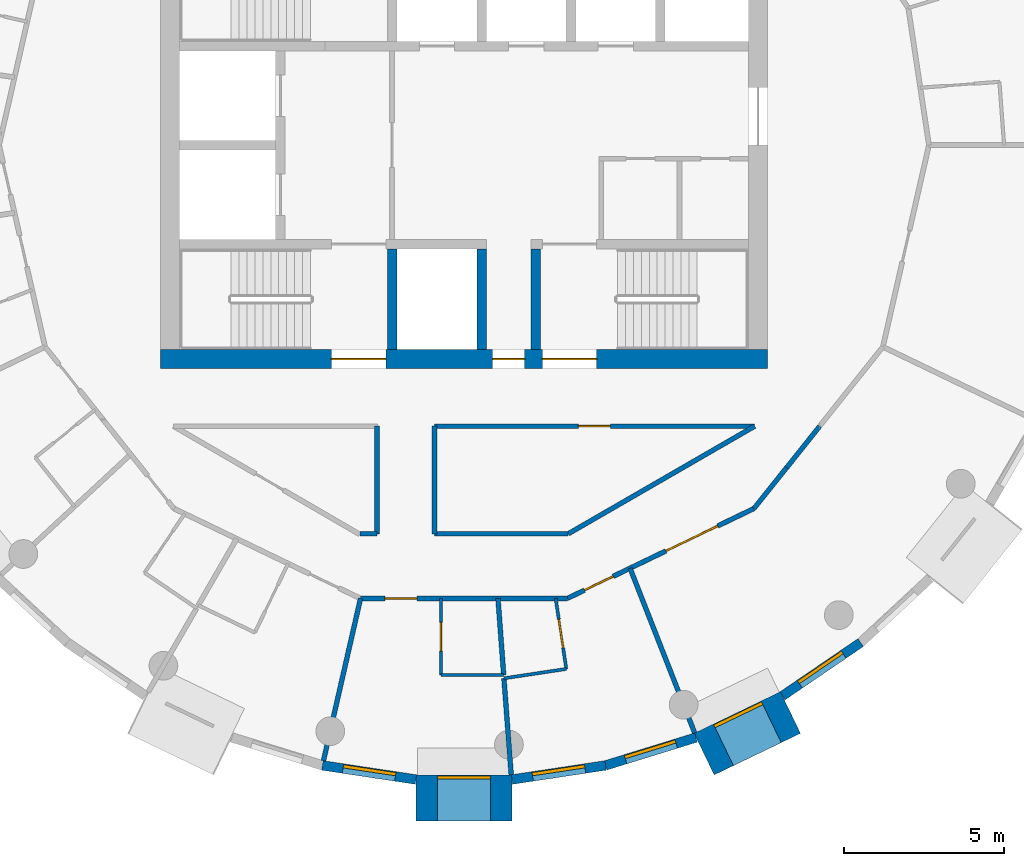
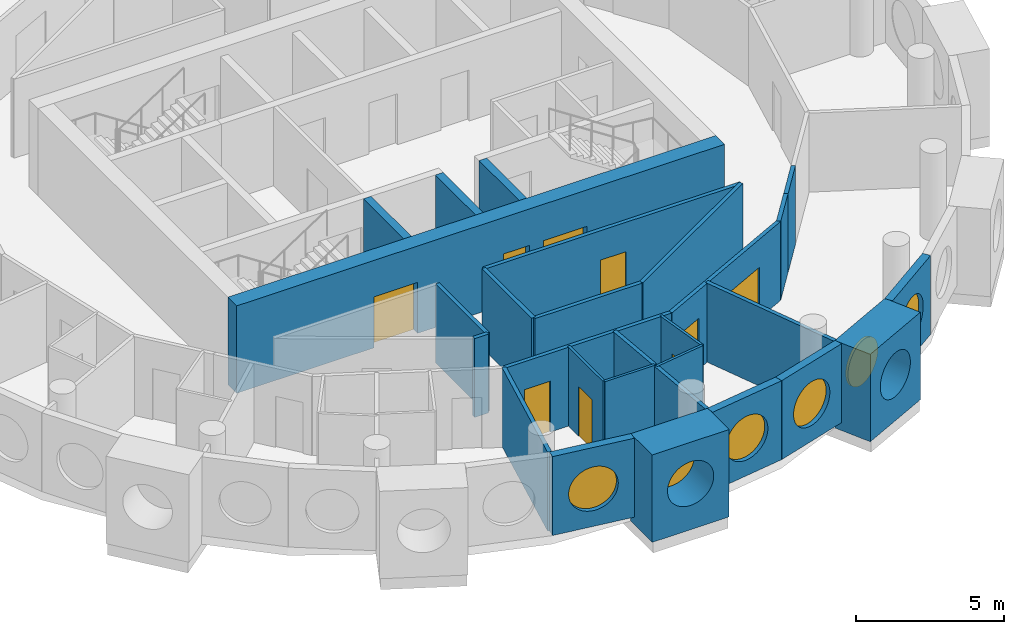
# One storey, part 4 of 12: 28 walls, 9 doors, 6 windows, 15 openings.
"""IFC4 building model written with IfcOpenShell, lengths in metres."""

from ifc_helpers import new_model, si_unit, direction, frame, frame_2d, origin, origin_2d, place, context, subcontext, project, spatial, rectangle, circle, extrude, material, layer, layer_set, type_object, element, fill, save


model = new_model("IFC4")

# Units and contexts
model_context = context("Model", 3, precision=1e-05, world=origin(), true_north=direction((0.0, 1.0)))
body_context = subcontext(model_context, "Body", "Model", "MODEL_VIEW")
ifc_project = project(units=[si_unit("LENGTHUNIT", "METRE"), si_unit("AREAUNIT", "SQUARE_METRE"), si_unit("VOLUMEUNIT", "CUBIC_METRE"), si_unit("PLANEANGLEUNIT", "RADIAN"), si_unit("MASSUNIT", "GRAM", prefix="KILO")], contexts=[model_context])

# Site, building, storey
site_placement = place(None, origin())
site = spatial("IfcSite", under=ifc_project, at=site_placement, CompositionType="ELEMENT")
building_placement = place(site_placement, origin())
building = spatial("IfcBuilding", under=site, at=building_placement, Name="Tracery Tower", CompositionType="ELEMENT")
storey_placement = place(building_placement, frame((0.0, 0.0, 283.800048828125)))
storey = spatial("IfcBuildingStorey", under=building, at=storey_placement, Name="L73", CompositionType="ELEMENT", Elevation=283.800048828125)

# Wall, openings, doors
ifc_material_1 = material(Name="Concrete C40/50", Category="concrete")
ifc_layer_1 = layer(ifc_material_1, 0.60009765625)
ifc_layer_set_1 = layer_set([ifc_layer_1], Name="Core wall 600 C40")
wall_type_1 = type_object("IfcWallType", Name="Core wall 600 C40", PredefinedType="SOLIDWALL", material=ifc_layer_set_1)
wall_1_placement = place(storey_placement, frame((-9.5, -6.699951171875, 0.0), z_axis=(0.0, 0.0, 1.0), x_axis=(1.0, 0.0, 0.0)))
wall_1 = element("IfcWall", 1, at=wall_1_placement, inside=storey, type_object=wall_type_1, Name="L73 outer S", PredefinedType="SOLIDWALL", context=body_context, shape_type="SweptSolid", body=[
    extrude(rectangle(XDim=19.0, YDim=0.60009765625, at=frame_2d((9.5, 0.0))), origin(), (0.0, 0.0, 1.0), 3.599853515625),
])
opening_1_placement = place(wall_1_placement, frame((10.39990234375, 0.0, 0.0)))
opening_1 = element("IfcOpeningElement", 2, at=opening_1_placement, cuts=wall_1, Name="Opening KD16", PredefinedType="OPENING", context=body_context, shape_type="SweptSolid", body=[
    extrude(rectangle(XDim=1.0, YDim=2.10009765625, at=frame_2d((0.5, 1.050048828125))), frame((0.0, 0.300048828125, 0.0), z_axis=(0.0, -1.0, 0.0), x_axis=(1.0, 0.0, 0.0)), (0.0, 0.0, 1.0), 0.60009765625),
])
opening_2_placement = place(wall_1_placement, frame((5.35009765625, 0.0, 0.0)))
opening_2 = element("IfcOpeningElement", 3, at=opening_2_placement, cuts=wall_1, Name="Opening KD3", PredefinedType="OPENING", context=body_context, shape_type="SweptSolid", body=[
    extrude(rectangle(XDim=1.699951171875, YDim=2.10009765625, at=frame_2d((0.85009765625, 1.050048828125))), frame((0.0, 0.300048828125, 0.0), z_axis=(0.0, -1.0, 0.0), x_axis=(1.0, 0.0, 0.0)), (0.0, 0.0, 1.0), 0.60009765625),
])
opening_3_placement = place(wall_1_placement, frame((11.949951171875, 0.0, 0.0)))
opening_3 = element("IfcOpeningElement", 4, at=opening_3_placement, cuts=wall_1, Name="Opening KD3", PredefinedType="OPENING", context=body_context, shape_type="SweptSolid", body=[
    extrude(rectangle(XDim=1.699951171875, YDim=2.10009765625, at=frame_2d((0.85009765625, 1.050048828125))), frame((0.0, 0.300048828125, 0.0), z_axis=(0.0, -1.0, 0.0), x_axis=(1.0, 0.0, 0.0)), (0.0, 0.0, 1.0), 0.60009765625),
])
ifc_material_2 = material(Name="Steel fire door", Category="steel")
door_type_1 = type_object("IfcDoorType", Name="Core exit door 1000", OperationType="NOTDEFINED", PredefinedType="DOOR", material=ifc_material_2)
door_1_placement = place(opening_1_placement, origin())
door_1 = element("IfcDoor", 5, at=door_1_placement, inside=storey, type_object=door_type_1, Name="Core exit door", OperationType="SINGLE_SWING_LEFT", OverallHeight=2.10009765625, OverallWidth=1.0, PredefinedType="DOOR", context=body_context, shape_type="SweptSolid", body=[
    extrude(rectangle(XDim=1.0, YDim=2.10009765625, at=frame_2d((0.5, 1.050048828125))), frame((0.0, 0.02490234375, 0.0), z_axis=(0.0, -1.0, 0.0), x_axis=(1.0, 0.0, 0.0)), (0.0, 0.0, 1.0), 0.050048828125),
])
fill(opening_1, door_1)
ifc_material_3 = material(Name="Steel fire door", Category="steel")
door_type_2 = type_object("IfcDoorType", Name="Core stair door 1700 double", OperationType="NOTDEFINED", PredefinedType="DOOR", material=ifc_material_3)
door_2_placement = place(opening_2_placement, origin())
door_2 = element("IfcDoor", 6, at=door_2_placement, inside=storey, type_object=door_type_2, Name="Stair door ST1 exit", OperationType="DOUBLE_DOOR_SINGLE_SWING", OverallHeight=2.10009765625, OverallWidth=1.699951171875, PredefinedType="DOOR", context=body_context, shape_type="SweptSolid", body=[
    extrude(rectangle(XDim=1.699951171875, YDim=2.10009765625, at=frame_2d((0.85009765625, 1.050048828125))), frame((0.0, 0.02490234375, 0.0), z_axis=(0.0, -1.0, 0.0), x_axis=(1.0, 0.0, 0.0)), (0.0, 0.0, 1.0), 0.050048828125),
])
fill(opening_2, door_2)
door_3_placement = place(opening_3_placement, origin())
door_3 = element("IfcDoor", 7, at=door_3_placement, inside=storey, type_object=door_type_2, Name="Stair door ST2 exit", OperationType="DOUBLE_DOOR_SINGLE_SWING", OverallHeight=2.10009765625, OverallWidth=1.699951171875, PredefinedType="DOOR", context=body_context, shape_type="SweptSolid", body=[
    extrude(rectangle(XDim=1.699951171875, YDim=2.10009765625, at=frame_2d((0.85009765625, 1.050048828125))), frame((0.0, 0.02490234375, 0.0), z_axis=(0.0, -1.0, 0.0), x_axis=(1.0, 0.0, 0.0)), (0.0, 0.0, 1.0), 0.050048828125),
])
fill(opening_3, door_3)

# Wall, opening, window
ifc_material_4 = material(Name="Precast concrete C50/60", Category="concrete")
ifc_layer_2 = layer(ifc_material_4, 1.449951171875)
ifc_layer_set_2 = layer_set([ifc_layer_2], Name="Deep-set bay unit 3000 x 3600, slab edge 350")
wall_type_2 = type_object("IfcWallType", Name="Deep-set bay unit 3000 x 3600, slab edge 350", PredefinedType="ELEMENTEDWALL", material=ifc_layer_set_2)
wall_2_placement = place(storey_placement, frame((-1.5, -20.441162109375, -0.35009765625), z_axis=(0.0, 0.0, 1.0), x_axis=(1.0, 0.0, 0.0)))
wall_2 = element("IfcWall", 8, at=wall_2_placement, inside=storey, type_object=wall_type_2, Name="Deep-set bay unit 32 at L73", PredefinedType="ELEMENTEDWALL", context=body_context, shape_type="SweptSolid", body=[
    extrude(rectangle(XDim=3.0, YDim=1.449951171875, at=frame_2d((1.5, 0.0))), origin(), (0.0, 0.0, 1.0), 3.60009765625),
])
opening_4_placement = place(wall_2_placement, frame((1.5, 0.0, 1.89990234375)))
opening_4 = element("IfcOpeningElement", 9, at=opening_4_placement, cuts=wall_2, Name="Opening WN1", PredefinedType="OPENING", context=body_context, shape_type="SweptSolid", body=[
    extrude(circle(Radius=0.9000244140625, at=origin_2d()), frame((0.0, 0.73486328125, 0.0), z_axis=(0.0, -1.0, 0.0), x_axis=(1.0, 0.0, 0.0)), (0.0, 0.0, 1.0), 1.469970703125),
])
ifc_material_5 = material(Name="Aluminium frame with tinted double glazing", Category="aluminium")
window_type = type_object("IfcWindowType", Name="Round window 1800", PartitioningType="SINGLE_PANEL", PredefinedType="WINDOW", material=ifc_material_5)
window_1_placement = place(opening_4_placement, origin())
window_1 = element("IfcWindow", 10, at=window_1_placement, inside=storey, type_object=window_type, Name="Round window 32 at L73", OverallHeight=1.800048828125, OverallWidth=1.800048828125, PartitioningType="SINGLE_PANEL", PredefinedType="WINDOW", context=body_context, shape_type="SweptSolid", body=[
    extrude(circle(Radius=0.9000244140625, at=origin_2d()), frame((0.0, 0.69482421875, 0.0), z_axis=(0.0, -1.0, 0.0), x_axis=(1.0, 0.0, 0.0)), (0.0, 0.0, 1.0), 0.10009765625),
])
fill(opening_4, window_1)

wall_3_placement = place(storey_placement, frame((7.517578125, -19.067626953125, -0.35009765625), z_axis=(0.0, 0.0, 1.0), x_axis=(0.900953362039, 0.433915935904, 0.0)))
wall_3 = element("IfcWall", 11, at=wall_3_placement, inside=storey, type_object=wall_type_2, Name="Deep-set bay unit 35 at L73", PredefinedType="ELEMENTEDWALL", context=body_context, shape_type="SweptSolid", body=[
    extrude(rectangle(XDim=3.0, YDim=1.449951171875, at=frame_2d((1.5, 0.0))), origin(), (0.0, 0.0, 1.0), 3.60009765625),
])
opening_5_placement = place(wall_3_placement, frame((1.5, 0.0, 1.89990234375)))
opening_5 = element("IfcOpeningElement", 12, at=opening_5_placement, cuts=wall_3, Name="Opening WN1", PredefinedType="OPENING", context=body_context, shape_type="SweptSolid", body=[
    extrude(circle(Radius=0.9000244140625, at=origin_2d()), frame((0.0, 0.73486328125, 0.0), z_axis=(0.0, -1.0, 0.0), x_axis=(1.0, 0.0, 0.0)), (0.0, 0.0, 1.0), 1.469970703125),
])
window_2_placement = place(opening_5_placement, origin())
window_2 = element("IfcWindow", 13, at=window_2_placement, inside=storey, type_object=window_type, Name="Round window 35 at L73", OverallHeight=1.800048828125, OverallWidth=1.800048828125, PartitioningType="SINGLE_PANEL", PredefinedType="WINDOW", context=body_context, shape_type="SweptSolid", body=[
    extrude(circle(Radius=0.9000244140625, at=origin_2d()), frame((0.0, 0.69482421875, 0.0), z_axis=(0.0, -1.0, 0.0), x_axis=(1.0, 0.0, 0.0)), (0.0, 0.0, 1.0), 0.10009765625),
])
fill(opening_5, window_2)

ifc_material_6 = material(Name="Precast concrete C50/60", Category="concrete")
ifc_layer_3 = layer(ifc_material_6, 0.300048828125)
ifc_layer_set_3 = layer_set([ifc_layer_3], Name="Facade panel 3000 x 3250")
wall_type_3 = type_object("IfcWallType", Name="Facade panel 3000 x 3250", PredefinedType="SOLIDWALL", material=ifc_layer_set_3)
wall_4_placement = place(storey_placement, frame((-4.43310546875, -19.42236328125, 0.0), z_axis=(0.0, 0.0, 1.0), x_axis=(0.988835775663, -0.149009425104, 0.0)))
wall_4 = element("IfcWall", 14, at=wall_4_placement, inside=storey, type_object=wall_type_3, Name="Facade panel 31 at L73", PredefinedType="SOLIDWALL", context=body_context, shape_type="SweptSolid", body=[
    extrude(rectangle(XDim=2.962158203125, YDim=0.300048828125, at=frame_2d((1.48095703125, 0.0))), origin(), (0.0, 0.0, 1.0), 3.25),
])
opening_6_placement = place(wall_4_placement, frame((1.48095703125, 0.0, 1.5498046875)))
opening_6 = element("IfcOpeningElement", 15, at=opening_6_placement, cuts=wall_4, Name="Opening WN1", PredefinedType="OPENING", context=body_context, shape_type="SweptSolid", body=[
    extrude(circle(Radius=0.9000244140625, at=origin_2d()), frame((0.0, 0.159912109375, 0.0), z_axis=(0.0, -1.0, 0.0), x_axis=(1.0, 0.0, 0.0)), (0.0, 0.0, 1.0), 0.320068359375),
])
window_3_placement = place(opening_6_placement, origin())
window_3 = element("IfcWindow", 16, at=window_3_placement, inside=storey, type_object=window_type, Name="Round window 31 at L73", OverallHeight=1.800048828125, OverallWidth=1.800048828125, PartitioningType="SINGLE_PANEL", PredefinedType="WINDOW", context=body_context, shape_type="SweptSolid", body=[
    extrude(circle(Radius=0.9000244140625, at=origin_2d()), frame((0.0, 0.1201171875, 0.0), z_axis=(0.0, -1.0, 0.0), x_axis=(1.0, 0.0, 0.0)), (0.0, 0.0, 1.0), 0.10009765625),
])
fill(opening_6, window_3)

wall_5_placement = place(storey_placement, frame((1.50390625, -19.86376953125, 0.0), z_axis=(0.0, 0.0, 1.0), x_axis=(0.988835775663, 0.149009425104, 0.0)))
wall_5 = element("IfcWall", 17, at=wall_5_placement, inside=storey, type_object=wall_type_3, Name="Facade panel 33 at L73", PredefinedType="SOLIDWALL", context=body_context, shape_type="SweptSolid", body=[
    extrude(rectangle(XDim=2.962158203125, YDim=0.300048828125, at=frame_2d((1.48095703125, 0.0))), origin(), (0.0, 0.0, 1.0), 3.25),
])
opening_7_placement = place(wall_5_placement, frame((1.48095703125, 0.0, 1.5498046875)))
opening_7 = element("IfcOpeningElement", 18, at=opening_7_placement, cuts=wall_5, Name="Opening WN1", PredefinedType="OPENING", context=body_context, shape_type="SweptSolid", body=[
    extrude(circle(Radius=0.9000244140625, at=origin_2d()), frame((0.0, 0.159912109375, 0.0), z_axis=(0.0, -1.0, 0.0), x_axis=(1.0, 0.0, 0.0)), (0.0, 0.0, 1.0), 0.320068359375),
])
window_4_placement = place(opening_7_placement, origin())
window_4 = element("IfcWindow", 19, at=window_4_placement, inside=storey, type_object=window_type, Name="Round window 33 at L73", OverallHeight=1.800048828125, OverallWidth=1.800048828125, PartitioningType="SINGLE_PANEL", PredefinedType="WINDOW", context=body_context, shape_type="SweptSolid", body=[
    extrude(circle(Radius=0.9000244140625, at=origin_2d()), frame((0.0, 0.1201171875, 0.0), z_axis=(0.0, -1.0, 0.0), x_axis=(1.0, 0.0, 0.0)), (0.0, 0.0, 1.0), 0.10009765625),
])
fill(opening_7, window_4)

wall_6_placement = place(storey_placement, frame((4.43310546875, -19.42236328125, 0.0), z_axis=(0.0, 0.0, 1.0), x_axis=(0.955555982805, 0.29480970765, 0.0)))
wall_6 = element("IfcWall", 20, at=wall_6_placement, inside=storey, type_object=wall_type_3, Name="Facade panel 34 at L73", PredefinedType="SOLIDWALL", context=body_context, shape_type="SweptSolid", body=[
    extrude(rectangle(XDim=2.962158203125, YDim=0.300048828125, at=frame_2d((1.48095703125, 0.0))), origin(), (0.0, 0.0, 1.0), 3.25),
])
opening_8_placement = place(wall_6_placement, frame((1.48095703125, 0.0, 1.5498046875)))
opening_8 = element("IfcOpeningElement", 21, at=opening_8_placement, cuts=wall_6, Name="Opening WN1", PredefinedType="OPENING", context=body_context, shape_type="SweptSolid", body=[
    extrude(circle(Radius=0.9000244140625, at=origin_2d()), frame((0.0, 0.159912109375, 0.0), z_axis=(0.0, -1.0, 0.0), x_axis=(1.0, 0.0, 0.0)), (0.0, 0.0, 1.0), 0.320068359375),
])
window_5_placement = place(opening_8_placement, origin())
window_5 = element("IfcWindow", 22, at=window_5_placement, inside=storey, type_object=window_type, Name="Round window 34 at L73", OverallHeight=1.800048828125, OverallWidth=1.800048828125, PartitioningType="SINGLE_PANEL", PredefinedType="WINDOW", context=body_context, shape_type="SweptSolid", body=[
    extrude(circle(Radius=0.9000244140625, at=origin_2d()), frame((0.0, 0.1201171875, 0.0), z_axis=(0.0, -1.0, 0.0), x_axis=(1.0, 0.0, 0.0)), (0.0, 0.0, 1.0), 0.10009765625),
])
fill(opening_8, window_5)

wall_7_placement = place(storey_placement, frame((9.9736328125, -17.244140625, 0.0), z_axis=(0.0, 0.0, 1.0), x_axis=(0.826236061068, 0.563324037646, 0.0)))
wall_7 = element("IfcWall", 23, at=wall_7_placement, inside=storey, type_object=wall_type_3, Name="Facade panel 36 at L73", PredefinedType="SOLIDWALL", context=body_context, shape_type="SweptSolid", body=[
    extrude(rectangle(XDim=2.962158203125, YDim=0.300048828125, at=frame_2d((1.48095703125, 0.0))), origin(), (0.0, 0.0, 1.0), 3.25),
])
opening_9_placement = place(wall_7_placement, frame((1.48095703125, 0.0, 1.5498046875)))
opening_9 = element("IfcOpeningElement", 24, at=opening_9_placement, cuts=wall_7, Name="Opening WN1", PredefinedType="OPENING", context=body_context, shape_type="SweptSolid", body=[
    extrude(circle(Radius=0.9000244140625, at=origin_2d()), frame((0.0, 0.159912109375, 0.0), z_axis=(0.0, -1.0, 0.0), x_axis=(1.0, 0.0, 0.0)), (0.0, 0.0, 1.0), 0.320068359375),
])
window_6_placement = place(opening_9_placement, origin())
window_6 = element("IfcWindow", 25, at=window_6_placement, inside=storey, type_object=window_type, Name="Round window 36 at L73", OverallHeight=1.800048828125, OverallWidth=1.800048828125, PartitioningType="SINGLE_PANEL", PredefinedType="WINDOW", context=body_context, shape_type="SweptSolid", body=[
    extrude(circle(Radius=0.9000244140625, at=origin_2d()), frame((0.0, 0.1201171875, 0.0), z_axis=(0.0, -1.0, 0.0), x_axis=(1.0, 0.0, 0.0)), (0.0, 0.0, 1.0), 0.10009765625),
])
fill(opening_9, window_6)

# Wall, opening, door
ifc_material_7 = material(Name="Plasterboard on steel studs", Category="steel")
ifc_layer_4 = layer(ifc_material_7, 0.10009765625)
ifc_layer_set_4 = layer_set([ifc_layer_4], Name="Partition 100 wet wall")
wall_type_4 = type_object("IfcWallType", Name="Partition 100 wet wall", PredefinedType="PARTITIONING", material=ifc_layer_set_4)
wall_8_placement = place(storey_placement, frame((-0.721923828125, -16.592041015625, 0.0), z_axis=(0.0, 0.0, 1.0), x_axis=(0.0, 1.0, 0.0)))
wall_8 = element("IfcWall", 26, at=wall_8_placement, inside=storey, type_object=wall_type_4, Name="Wet wall RC6-080", PredefinedType="PARTITIONING", context=body_context, shape_type="SweptSolid", body=[
    extrude(rectangle(XDim=2.400146484375, YDim=0.10009765625, at=frame_2d((1.2001953125, 0.0))), origin(), (0.0, 0.0, 1.0), 3.25),
])
opening_10_placement = place(wall_8_placement, frame((0.75, 0.0, 0.0)))
opening_10 = element("IfcOpeningElement", 27, at=opening_10_placement, cuts=wall_8, Name="Opening RC6-26", PredefinedType="OPENING", context=body_context, shape_type="SweptSolid", body=[
    extrude(rectangle(XDim=0.89990234375, YDim=2.0400390625, at=frame_2d((0.449951171875, 1.02001953125))), frame((0.0, 0.050048828125, 0.0), z_axis=(0.0, -1.0, 0.0), x_axis=(1.0, 0.0, 0.0)), (0.0, 0.0, 1.0), 0.10009765625),
])
ifc_material_8 = material(Name="Timber door leaf", Category="wood")
door_type_3 = type_object("IfcDoorType", Name="Door en-suite 900", OperationType="NOTDEFINED", PredefinedType="DOOR", material=ifc_material_8)
door_4_placement = place(opening_10_placement, origin())
door_4 = element("IfcDoor", 28, at=door_4_placement, inside=storey, type_object=door_type_3, Name="En-suite door RC6-26", OperationType="SINGLE_SWING_RIGHT", OverallHeight=2.0400390625, OverallWidth=0.89990234375, PredefinedType="DOOR", context=body_context, shape_type="SweptSolid", body=[
    extrude(rectangle(XDim=0.89990234375, YDim=2.0400390625, at=frame_2d((0.449951171875, 1.02001953125))), frame((0.0, 0.02490234375, 0.0), z_axis=(0.0, -1.0, 0.0), x_axis=(1.0, 0.0, 0.0)), (0.0, 0.0, 1.0), 0.050048828125),
])
fill(opening_10, door_4)

# Walls
wall_9_placement = place(storey_placement, frame((-0.721923828125, -16.592041015625, 0.0), z_axis=(0.0, 0.0, 1.0), x_axis=(1.0, 0.0, 0.0)))
element("IfcWall", 29, at=wall_9_placement, inside=storey, type_object=wall_type_4, Name="Wet wall RC6-081", PredefinedType="PARTITIONING", context=body_context, shape_type="SweptSolid", body=[
    extrude(rectangle(XDim=1.96484375, YDim=0.10009765625, at=frame_2d((0.982421875, 0.0))), origin(), (0.0, 0.0, 1.0), 3.25),
])
wall_10_placement = place(storey_placement, frame((1.2509765625, -16.695068359375, 0.0), z_axis=(0.0, 0.0, 1.0), x_axis=(0.988831780565, 0.149035934407, 0.0)))
element("IfcWall", 30, at=wall_10_placement, inside=storey, type_object=wall_type_4, Name="Wet wall RC6-084", PredefinedType="PARTITIONING", context=body_context, shape_type="SweptSolid", body=[
    extrude(rectangle(XDim=1.973876953125, YDim=0.10009765625, at=frame_2d((0.98681640625, 0.0))), origin(), (0.0, 0.0, 1.0), 3.25),
])

# Wall, opening, door
wall_11_placement = place(storey_placement, frame((2.8701171875, -14.19189453125, 0.0), z_axis=(0.0, 0.0, 1.0), x_axis=(0.148960349288, -0.988843169739, 0.0)))
wall_11 = element("IfcWall", 31, at=wall_11_placement, inside=storey, type_object=wall_type_4, Name="Wet wall RC6-085", PredefinedType="PARTITIONING", context=body_context, shape_type="SweptSolid", body=[
    extrude(rectangle(XDim=2.23388671875, YDim=0.10009765625, at=frame_2d((1.116943359375, 0.0))), origin(), (0.0, 0.0, 1.0), 3.25),
])
opening_11_placement = place(wall_11_placement, frame((0.6669921875, 0.0, 0.0)))
opening_11 = element("IfcOpeningElement", 32, at=opening_11_placement, cuts=wall_11, Name="Opening RC6-28", PredefinedType="OPENING", context=body_context, shape_type="SweptSolid", body=[
    extrude(rectangle(XDim=0.89990234375, YDim=2.0400390625, at=frame_2d((0.449951171875, 1.02001953125))), frame((0.0, 0.050048828125, 0.0), z_axis=(0.0, -1.0, 0.0), x_axis=(1.0, 0.0, 0.0)), (0.0, 0.0, 1.0), 0.10009765625),
])
door_5_placement = place(opening_11_placement, origin())
door_5 = element("IfcDoor", 33, at=door_5_placement, inside=storey, type_object=door_type_3, Name="En-suite door RC6-28", OperationType="SINGLE_SWING_RIGHT", OverallHeight=2.0400390625, OverallWidth=0.89990234375, PredefinedType="DOOR", context=body_context, shape_type="SweptSolid", body=[
    extrude(rectangle(XDim=0.89990234375, YDim=2.0400390625, at=frame_2d((0.449951171875, 1.02001953125))), frame((0.0, 0.02490234375, 0.0), z_axis=(0.0, -1.0, 0.0), x_axis=(1.0, 0.0, 0.0)), (0.0, 0.0, 1.0), 0.050048828125),
])
fill(opening_11, door_5)

# Walls
ifc_material_9 = material(Name="Plasterboard on steel studs", Category="steel")
ifc_layer_5 = layer(ifc_material_9, 0.14990234375)
ifc_layer_set_5 = layer_set([ifc_layer_5], Name="Partition 150 acoustic unit wall")
wall_type_5 = type_object("IfcWallType", Name="Partition 150 acoustic unit wall", PredefinedType="PARTITIONING", material=ifc_layer_set_5)
wall_12_placement = place(storey_placement, frame((-4.39990234375, -19.27587890625, 0.0), z_axis=(0.0, 0.0, 1.0), x_axis=(0.222612505682, 0.974907007008, 0.0)))
element("IfcWall", 34, at=wall_12_placement, inside=storey, type_object=wall_type_5, Name="Unit wall RC6-079", PredefinedType="PARTITIONING", context=body_context, shape_type="SweptSolid", body=[
    extrude(rectangle(XDim=5.21484375, YDim=0.14990234375, at=frame_2d((2.607421875, 0.0))), origin(), (0.0, 0.0, 1.0), 3.25),
])
wall_13_placement = place(storey_placement, frame((1.25, -16.69091796875, 0.0), z_axis=(0.0, 0.0, 1.0), x_axis=(0.075164061246, -0.99717118084, 0.0)))
element("IfcWall", 35, at=wall_13_placement, inside=storey, type_object=wall_type_5, Name="Unit wall RC6-082", PredefinedType="PARTITIONING", context=body_context, shape_type="SweptSolid", body=[
    extrude(rectangle(XDim=3.03369140625, YDim=0.14990234375, at=frame_2d((1.516845703125, 0.0))), origin(), (0.0, 0.0, 1.0), 3.25),
])
wall_14_placement = place(storey_placement, frame((1.06396484375, -14.19189453125, 0.0), z_axis=(0.0, 0.0, 1.0), x_axis=(0.074353677934, -0.997231934195, 0.0)))
element("IfcWall", 36, at=wall_14_placement, inside=storey, type_object=wall_type_5, Name="Unit wall RC6-083", PredefinedType="PARTITIONING", context=body_context, shape_type="SweptSolid", body=[
    extrude(rectangle(XDim=2.40673828125, YDim=0.14990234375, at=frame_2d((1.203369140625, 0.0))), origin(), (0.0, 0.0, 1.0), 3.25),
])
wall_15_placement = place(storey_placement, frame((5.198974609375, -13.248046875, 0.0), z_axis=(0.0, 0.0, 1.0), x_axis=(0.365334662456, -0.930876245485, 0.0)))
element("IfcWall", 37, at=wall_15_placement, inside=storey, type_object=wall_type_5, Name="Unit wall RC6-086", PredefinedType="PARTITIONING", context=body_context, shape_type="SweptSolid", body=[
    extrude(rectangle(XDim=5.5400390625, YDim=0.14990234375, at=frame_2d((2.77001953125, 0.0))), origin(), (0.0, 0.0, 1.0), 3.25),
])

# Wall, opening, door
ifc_material_10 = material(Name="Plasterboard on steel studs", Category="steel")
ifc_layer_6 = layer(ifc_material_10, 0.14990234375)
ifc_layer_set_6 = layer_set([ifc_layer_6], Name="Partition 150 corridor wall")
wall_type_6 = type_object("IfcWallType", Name="Partition 150 corridor wall", PredefinedType="PARTITIONING", material=ifc_layer_set_6)
wall_16_placement = place(storey_placement, frame((-0.924072265625, -8.800048828125, 0.0), z_axis=(0.0, 0.0, 1.0), x_axis=(1.0, 0.0, 0.0)))
wall_16 = element("IfcWall", 38, at=wall_16_placement, inside=storey, type_object=wall_type_6, Name="Corridor wall RC6-014", PredefinedType="PARTITIONING", context=body_context, shape_type="SweptSolid", body=[
    extrude(rectangle(XDim=10.024658203125, YDim=0.14990234375, at=frame_2d((5.01220703125, 0.0))), origin(), (0.0, 0.0, 1.0), 3.25),
])
opening_12_placement = place(wall_16_placement, frame((4.508056640625, 0.0, 0.0)))
opening_12 = element("IfcOpeningElement", 39, at=opening_12_placement, cuts=wall_16, Name="Opening RC6-04", PredefinedType="OPENING", context=body_context, shape_type="SweptSolid", body=[
    extrude(rectangle(XDim=1.0, YDim=2.0400390625, at=frame_2d((0.5, 1.02001953125))), frame((0.0, 0.074951171875, 0.0), z_axis=(0.0, -1.0, 0.0), x_axis=(1.0, 0.0, 0.0)), (0.0, 0.0, 1.0), 0.14990234375),
])
ifc_material_11 = material(Name="Timber door leaf", Category="wood")
door_type_4 = type_object("IfcDoorType", Name="Door communal room 1000", OperationType="NOTDEFINED", PredefinedType="DOOR", material=ifc_material_11)
door_6_placement = place(opening_12_placement, origin())
door_6 = element("IfcDoor", 40, at=door_6_placement, inside=storey, type_object=door_type_4, Name="Communal room door RC6-04", OperationType="SINGLE_SWING_RIGHT", OverallHeight=2.0400390625, OverallWidth=1.0, PredefinedType="DOOR", context=body_context, shape_type="SweptSolid", body=[
    extrude(rectangle(XDim=1.0, YDim=2.0400390625, at=frame_2d((0.5, 1.02001953125))), frame((0.0, 0.02490234375, 0.0), z_axis=(0.0, -1.0, 0.0), x_axis=(1.0, 0.0, 0.0)), (0.0, 0.0, 1.0), 0.050048828125),
])
fill(opening_12, door_6)

# Walls
wall_17_placement = place(storey_placement, frame((10.10107421875, -10.10107421875, 0.0), z_axis=(0.0, 0.0, 1.0), x_axis=(0.623098344652, 0.782143498913, 0.0)))
element("IfcWall", 41, at=wall_17_placement, inside=storey, type_object=wall_type_6, Name="Corridor wall RC6-020", PredefinedType="PARTITIONING", context=body_context, shape_type="SweptSolid", body=[
    extrude(rectangle(XDim=1.660888671875, YDim=0.14990234375, at=frame_2d((0.83056640625, 0.0))), origin(), (0.0, 0.0, 1.0), 3.25),
])
wall_18_placement = place(storey_placement, frame((-3.260986328125, -12.1708984375, 0.0), z_axis=(0.0, 0.0, 1.0), x_axis=(1.0, 0.0, 0.0)))
element("IfcWall", 42, at=wall_18_placement, inside=storey, type_object=wall_type_6, Name="Corridor wall RC6-037", PredefinedType="PARTITIONING", context=body_context, shape_type="SweptSolid", body=[
    extrude(rectangle(XDim=0.541015625, YDim=0.14990234375, at=frame_2d((0.2705078125, 0.0))), origin(), (0.0, 0.0, 1.0), 3.25),
])
for number, where, z_axis, x_axis, name in (
    (43, (-2.719970703125, -12.1708984375, 0.0), (0.0, 0.0, 1.0), (0.0, 1.0, 0.0), "Corridor wall RC6-038"),
    (44, (-0.919921875, -12.1708984375, 0.0), (0.0, 0.0, 1.0), (0.0, 1.0, 0.0), "Corridor wall RC6-039"),
):
    element("IfcWall", number, at=place(storey_placement, frame(where, z_axis=z_axis, x_axis=x_axis)), inside=storey, type_object=wall_type_6, Name=name, PredefinedType="PARTITIONING", context=body_context, shape_type="SweptSolid", body=[
        extrude(rectangle(XDim=3.370849609375, YDim=0.14990234375, at=frame_2d((1.685546875, 0.0))), origin(), (0.0, 0.0, 1.0), 3.25),
    ])
wall_19_placement = place(storey_placement, frame((-0.919921875, -12.1708984375, 0.0), z_axis=(0.0, 0.0, 1.0), x_axis=(1.0, 0.0, 0.0)))
element("IfcWall", 45, at=wall_19_placement, inside=storey, type_object=wall_type_6, Name="Corridor wall RC6-040", PredefinedType="PARTITIONING", context=body_context, shape_type="SweptSolid", body=[
    extrude(rectangle(XDim=4.180908203125, YDim=0.14990234375, at=frame_2d((2.09033203125, 0.0))), origin(), (0.0, 0.0, 1.0), 3.25),
])
wall_20_placement = place(storey_placement, frame((3.260986328125, -12.1708984375, 0.0), z_axis=(0.0, 0.0, 1.0), x_axis=(0.866066809554, 0.499928276245, 0.0)))
element("IfcWall", 46, at=wall_20_placement, inside=storey, type_object=wall_type_6, Name="Corridor wall RC6-041", PredefinedType="PARTITIONING", context=body_context, shape_type="SweptSolid", body=[
    extrude(rectangle(XDim=6.74267578125, YDim=0.14990234375, at=frame_2d((3.371337890625, 0.0))), origin(), (0.0, 0.0, 1.0), 3.25),
])

# Wall, opening, door
wall_21_placement = place(storey_placement, frame((-3.239013671875, -14.19189453125, 0.0), z_axis=(0.0, 0.0, 1.0), x_axis=(1.0, 0.0, 0.0)))
wall_21 = element("IfcWall", 47, at=wall_21_placement, inside=storey, type_object=wall_type_6, Name="Corridor wall RC6-043", PredefinedType="PARTITIONING", context=body_context, shape_type="SweptSolid", body=[
    extrude(rectangle(XDim=6.47802734375, YDim=0.14990234375, at=frame_2d((3.239013671875, 0.0))), origin(), (0.0, 0.0, 1.0), 3.25),
])
opening_13_placement = place(wall_21_placement, frame((0.760986328125, 0.0, 0.0)))
opening_13 = element("IfcOpeningElement", 48, at=opening_13_placement, cuts=wall_21, Name="Opening RC6-27", PredefinedType="OPENING", context=body_context, shape_type="SweptSolid", body=[
    extrude(rectangle(XDim=1.0, YDim=2.10009765625, at=frame_2d((0.5, 1.050048828125))), frame((0.0, 0.074951171875, 0.0), z_axis=(0.0, -1.0, 0.0), x_axis=(1.0, 0.0, 0.0)), (0.0, 0.0, 1.0), 0.14990234375),
])
ifc_material_12 = material(Name="Timber door leaf", Category="wood")
door_type_5 = type_object("IfcDoorType", Name="Door unit entrance 1000", OperationType="NOTDEFINED", PredefinedType="DOOR", material=ifc_material_12)
door_7_placement = place(opening_13_placement, origin())
door_7 = element("IfcDoor", 49, at=door_7_placement, inside=storey, type_object=door_type_5, Name="Unit entrance door RC6-27", OperationType="SINGLE_SWING_LEFT", OverallHeight=2.10009765625, OverallWidth=1.0, PredefinedType="DOOR", context=body_context, shape_type="SweptSolid", body=[
    extrude(rectangle(XDim=1.0, YDim=2.10009765625, at=frame_2d((0.5, 1.050048828125))), frame((0.0, 0.02490234375, 0.0), z_axis=(0.0, -1.0, 0.0), x_axis=(1.0, 0.0, 0.0)), (0.0, 0.0, 1.0), 0.050048828125),
])
fill(opening_13, door_7)

# Wall, openings, doors
wall_22_placement = place(storey_placement, frame((3.239013671875, -14.19189453125, 0.0), z_axis=(0.0, 0.0, 1.0), x_axis=(0.900851590682, 0.434127183629, 0.0)))
wall_22 = element("IfcWall", 50, at=wall_22_placement, inside=storey, type_object=wall_type_6, Name="Corridor wall RC6-044", PredefinedType="PARTITIONING", context=body_context, shape_type="SweptSolid", body=[
    extrude(rectangle(XDim=6.478515625, YDim=0.14990234375, at=frame_2d((3.2392578125, 0.0))), origin(), (0.0, 0.0, 1.0), 3.25),
])
opening_14_placement = place(wall_22_placement, frame((0.589111328125, 0.0, 0.0)))
opening_14 = element("IfcOpeningElement", 51, at=opening_14_placement, cuts=wall_22, Name="Opening RC6-29", PredefinedType="OPENING", context=body_context, shape_type="SweptSolid", body=[
    extrude(rectangle(XDim=1.0, YDim=2.10009765625, at=frame_2d((0.5, 1.050048828125))), frame((0.0, 0.074951171875, 0.0), z_axis=(0.0, -1.0, 0.0), x_axis=(1.0, 0.0, 0.0)), (0.0, 0.0, 1.0), 0.14990234375),
])
opening_15_placement = place(wall_22_placement, frame((3.424560546875, 0.0, 0.0)))
opening_15 = element("IfcOpeningElement", 52, at=opening_15_placement, cuts=wall_22, Name="Opening RC6-30", PredefinedType="OPENING", context=body_context, shape_type="SweptSolid", body=[
    extrude(rectangle(XDim=1.800048828125, YDim=2.10009765625, at=frame_2d((0.89990234375, 1.050048828125))), frame((0.0, 0.074951171875, 0.0), z_axis=(0.0, -1.0, 0.0), x_axis=(1.0, 0.0, 0.0)), (0.0, 0.0, 1.0), 0.14990234375),
])
ifc_material_13 = material(Name="Timber door leaf", Category="wood")
door_type_6 = type_object("IfcDoorType", Name="Door double lounge 1800", OperationType="NOTDEFINED", PredefinedType="DOOR", material=ifc_material_13)
door_8_placement = place(opening_15_placement, origin())
door_8 = element("IfcDoor", 53, at=door_8_placement, inside=storey, type_object=door_type_6, Name="Double lounge door RC6-30", OperationType="DOUBLE_DOOR_SINGLE_SWING", OverallHeight=2.10009765625, OverallWidth=1.800048828125, PredefinedType="DOOR", context=body_context, shape_type="SweptSolid", body=[
    extrude(rectangle(XDim=1.800048828125, YDim=2.10009765625, at=frame_2d((0.89990234375, 1.050048828125))), frame((0.0, 0.02490234375, 0.0), z_axis=(0.0, -1.0, 0.0), x_axis=(1.0, 0.0, 0.0)), (0.0, 0.0, 1.0), 0.050048828125),
])
fill(opening_15, door_8)
door_9_placement = place(opening_14_placement, origin())
door_9 = element("IfcDoor", 54, at=door_9_placement, inside=storey, type_object=door_type_5, Name="Unit entrance door RC6-29", OperationType="SINGLE_SWING_RIGHT", OverallHeight=2.10009765625, OverallWidth=1.0, PredefinedType="DOOR", context=body_context, shape_type="SweptSolid", body=[
    extrude(rectangle(XDim=1.0, YDim=2.10009765625, at=frame_2d((0.5, 1.050048828125))), frame((0.0, 0.02490234375, 0.0), z_axis=(0.0, -1.0, 0.0), x_axis=(1.0, 0.0, 0.0)), (0.0, 0.0, 1.0), 0.050048828125),
])
fill(opening_14, door_9)

# Walls
wall_23_placement = place(storey_placement, frame((9.075927734375, -11.381103515625, 0.0), z_axis=(0.0, 0.0, 1.0), x_axis=(0.623805208652, 0.781579849829, 0.0)))
element("IfcWall", 55, at=wall_23_placement, inside=storey, type_object=wall_type_6, Name="Corridor wall RC6-045", PredefinedType="PARTITIONING", context=body_context, shape_type="SweptSolid", body=[
    extrude(rectangle(XDim=1.64013671875, YDim=0.14990234375, at=frame_2d((0.820068359375, 0.0))), origin(), (0.0, 0.0, 1.0), 3.25),
])
ifc_material_14 = material(Name="Concrete C40/50", Category="concrete")
ifc_layer_7 = layer(ifc_material_14, 0.300048828125)
ifc_layer_set_7 = layer_set([ifc_layer_7], Name="Shaft wall 300 C40")
wall_type_7 = type_object("IfcWallType", Name="Shaft wall 300 C40", PredefinedType="SOLIDWALL", material=ifc_layer_set_7)
wall_24_placement = place(storey_placement, frame((0.550048828125, -6.39990234375, 0.0), z_axis=(0.0, 0.0, 1.0), x_axis=(0.0, 1.0, 0.0)))
element("IfcWall", 56, at=wall_24_placement, inside=storey, type_object=wall_type_7, Name="L73 OB2 E", PredefinedType="SOLIDWALL", context=body_context, shape_type="SweptSolid", body=[
    extrude(rectangle(XDim=3.14990234375, YDim=0.300048828125, at=frame_2d((1.574951171875, 0.0))), origin(), (0.0, 0.0, 1.0), 3.25),
])
ifc_material_15 = material(Name="Concrete C40/50", Category="concrete")
ifc_layer_8 = layer(ifc_material_15, 0.300048828125)
ifc_layer_set_8 = layer_set([ifc_layer_8], Name="Stair wall 300 C40")
wall_type_8 = type_object("IfcWallType", Name="Stair wall 300 C40", PredefinedType="SOLIDWALL", material=ifc_layer_set_8)
for number, where, z_axis, x_axis, name in (
    (57, (-2.25, -6.39990234375, 0.0), (0.0, 0.0, 1.0), (0.0, 1.0, 0.0), "L73 ST1 E"),
    (58, (2.25, -6.39990234375, 0.0), (0.0, 0.0, 1.0), (0.0, 1.0, 0.0), "L73 ST2 W"),
):
    element("IfcWall", number, at=place(storey_placement, frame(where, z_axis=z_axis, x_axis=x_axis)), inside=storey, type_object=wall_type_8, Name=name, PredefinedType="SOLIDWALL", context=body_context, shape_type="SweptSolid", body=[
        extrude(rectangle(XDim=3.14990234375, YDim=0.300048828125, at=frame_2d((1.574951171875, 0.0))), origin(), (0.0, 0.0, 1.0), 3.25),
    ])

save(model, "model.ifc")
